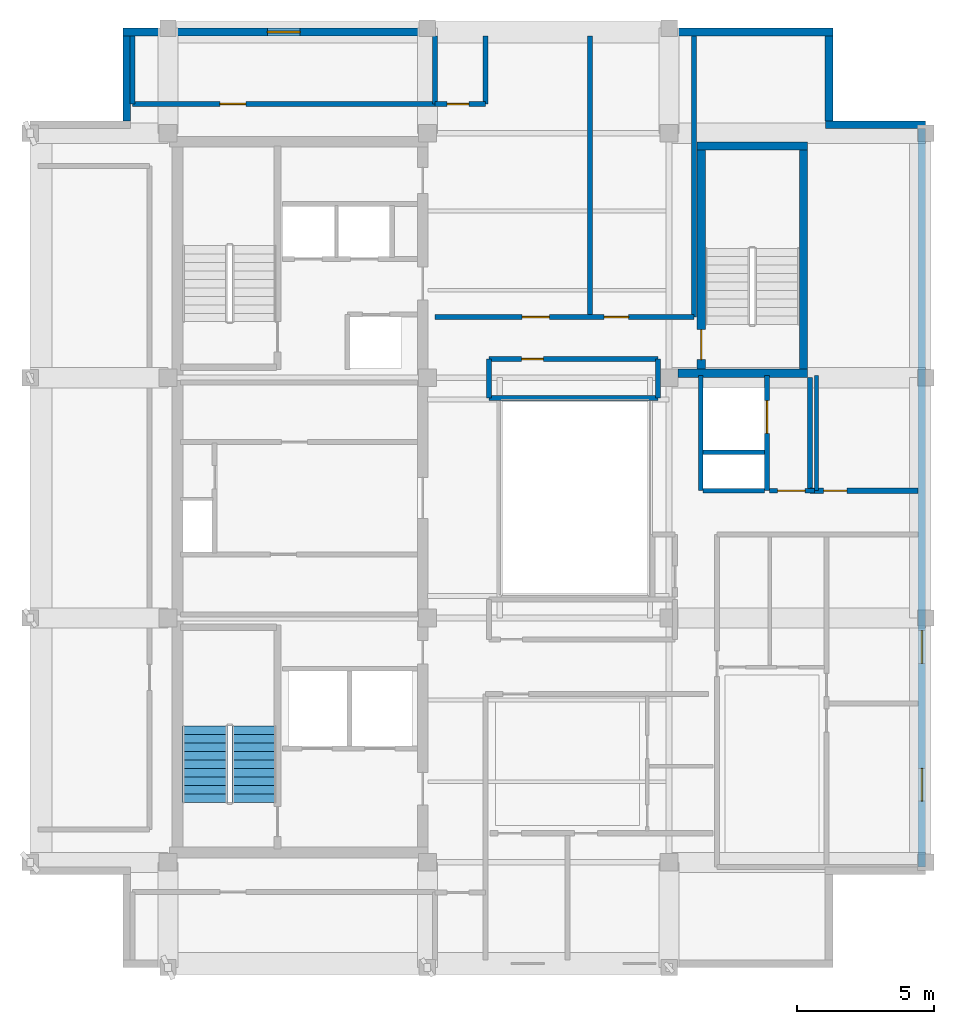
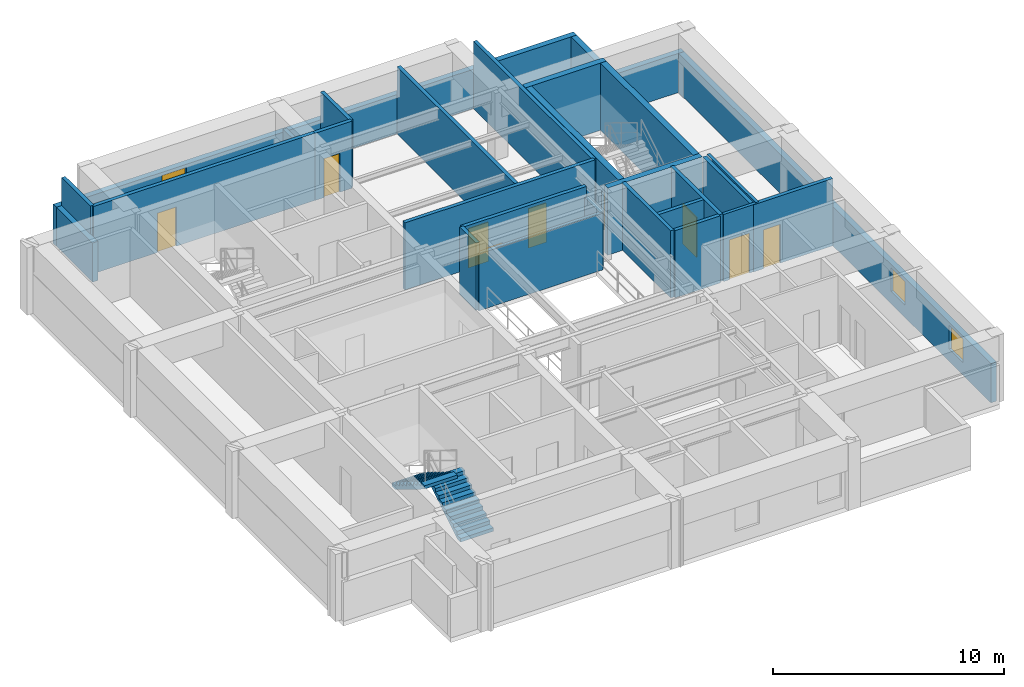
# One storey, part 4 of 6: 29 walls, 9 doors, 3 windows, 2 stair flights, 12 openings, 1 element without a shape of its own.
"""IFC4 building model written with IfcOpenShell, lengths in metres."""

from ifc_helpers import new_model, si_unit, direction, frame, frame_2d, origin, place, context, subcontext, project, spatial, polyline, rectangle, outline, extrude, material, layer, layer_set, type_object, element, fill, aggregate, save


model = new_model("IFC4")

# Units and contexts
model_context = context("Model", 3, precision=1e-05, world=origin(), true_north=direction((0.0, 1.0)))
body_context = subcontext(model_context, "Body", "Model", "MODEL_VIEW")
ifc_project = project(units=[si_unit("LENGTHUNIT", "METRE"), si_unit("AREAUNIT", "SQUARE_METRE"), si_unit("VOLUMEUNIT", "CUBIC_METRE"), si_unit("PLANEANGLEUNIT", "RADIAN"), si_unit("MASSUNIT", "GRAM", prefix="KILO")], contexts=[model_context])

# Site, building, storey
site_placement = place(None, origin())
site = spatial("IfcSite", under=ifc_project, at=site_placement, CompositionType="ELEMENT")
building_placement = place(site_placement, origin())
building = spatial("IfcBuilding", under=site, at=building_placement, Name="Kundavana Baori Tower", CompositionType="ELEMENT")
storey_placement = place(building_placement, frame((0.0, 0.0, 339.10009765625)))
storey = spatial("IfcBuildingStorey", under=building, at=storey_placement, Name="L84", CompositionType="ELEMENT", Elevation=339.10009765625)

# Wall, openings, windows
ifc_material_1 = material(Name="Red-Buff Dholpur Sandstone Cladding on Concrete C40/50", Category="masonry")
ifc_layer_1 = layer(ifc_material_1, 0.280029296875, Name="WL-EXT-SAND-280")
ifc_layer_set_1 = layer_set([ifc_layer_1], Name="Red-Buff Dholpur Sandstone Cladding on Concrete C40/50")
wall_type_1 = type_object("IfcWallType", Name="WL-EXT-SAND-280", PredefinedType="STANDARD", material=ifc_layer_set_1)
wall_1_placement = place(storey_placement, frame((43.06005859375, 15.080078125, 0.0), z_axis=(0.0, 0.0, 1.0), x_axis=(0.0, 1.0, 0.0)))
wall_1 = element("IfcWall", 1, at=wall_1_placement, inside=storey, type_object=wall_type_1, Name="L84 Exterior Insulated Facade Wall 04", PredefinedType="STANDARD", context=body_context, shape_type="SweptSolid", body=[
    extrude(rectangle(XDim=27.0400390625, YDim=0.280029296875, at=frame_2d((13.52001953125, 0.0))), origin(), (0.0, 0.0, 1.0), 2.06982421875),
])
opening_1_placement = place(wall_1_placement, frame((2.4150390625, 0.0, 0.64990234375)))
opening_1 = element("IfcOpeningElement", 2, at=opening_1_placement, cuts=wall_1, Name="Opening W-12", PredefinedType="OPENING", context=body_context, shape_type="SweptSolid", body=[
    extrude(rectangle(XDim=1.199951171875, YDim=1.25, at=frame_2d((0.60009765625, 0.625))), frame((0.0, 0.14990234375, 0.0), z_axis=(0.0, -1.0, 0.0), x_axis=(1.0, 0.0, 0.0)), (0.0, 0.0, 1.0), 0.300048828125),
])
opening_2_placement = place(wall_1_placement, frame((7.455078125, 0.0, 0.64990234375)))
opening_2 = element("IfcOpeningElement", 3, at=opening_2_placement, cuts=wall_1, Name="Opening W-12", PredefinedType="OPENING", context=body_context, shape_type="SweptSolid", body=[
    extrude(rectangle(XDim=1.199951171875, YDim=1.25, at=frame_2d((0.60009765625, 0.625))), frame((0.0, 0.14990234375, 0.0), z_axis=(0.0, -1.0, 0.0), x_axis=(1.0, 0.0, 0.0)), (0.0, 0.0, 1.0), 0.300048828125),
])
ifc_material_2 = material(Name="Double-Glazed Solar-Control Low-E Insulated Glass", Category="glass")
window_type = type_object("IfcWindowType", Name="WIN-TRN-1200x1250", PartitioningType="SINGLE_PANEL", PredefinedType="WINDOW", material=ifc_material_2)
window_1_placement = place(opening_1_placement, origin())
window_1 = element("IfcWindow", 4, at=window_1_placement, inside=storey, type_object=window_type, Name="L84 Dwelling Outlook Window DW-4", OverallHeight=1.25, OverallWidth=1.199951171875, PartitioningType="SINGLE_PANEL", PredefinedType="WINDOW", context=body_context, shape_type="SweptSolid", body=[
    extrude(rectangle(XDim=1.199951171875, YDim=1.25, at=frame_2d((0.60009765625, 0.625))), frame((0.0, 0.030029296875, 0.0), z_axis=(0.0, -1.0, 0.0), x_axis=(1.0, 0.0, 0.0)), (0.0, 0.0, 1.0), 0.06005859375),
])
fill(opening_1, window_1)
window_2_placement = place(opening_2_placement, origin())
window_2 = element("IfcWindow", 5, at=window_2_placement, inside=storey, type_object=window_type, Name="L84 Dwelling Outlook Window DW-5", OverallHeight=1.25, OverallWidth=1.199951171875, PartitioningType="SINGLE_PANEL", PredefinedType="WINDOW", context=body_context, shape_type="SweptSolid", body=[
    extrude(rectangle(XDim=1.199951171875, YDim=1.25, at=frame_2d((0.60009765625, 0.625))), frame((0.0, 0.030029296875, 0.0), z_axis=(0.0, -1.0, 0.0), x_axis=(1.0, 0.0, 0.0)), (0.0, 0.0, 1.0), 0.06005859375),
])
fill(opening_2, window_2)

# Walls
wall_2_placement = place(storey_placement, frame((43.199951171875, 42.260009765625, 0.0), z_axis=(0.0, 0.0, 1.0), x_axis=(-1.0, 0.0, 0.0)))
element("IfcWall", 6, at=wall_2_placement, inside=storey, type_object=wall_type_1, Name="L84 Exterior Insulated Facade Wall 05", PredefinedType="STANDARD", context=body_context, shape_type="SweptSolid", body=[
    extrude(rectangle(XDim=3.679931640625, YDim=0.280029296875, at=frame_2d((1.83984375, 0.0))), origin(), (0.0, 0.0, 1.0), 2.06982421875),
])
wall_3_placement = place(storey_placement, frame((39.659912109375, 42.39990234375, 0.0), z_axis=(0.0, 0.0, 1.0), x_axis=(0.0, 1.0, 0.0)))
element("IfcWall", 7, at=wall_3_placement, inside=storey, type_object=wall_type_1, Name="L84 Exterior Insulated Facade Wall 06", PredefinedType="STANDARD", context=body_context, shape_type="SweptSolid", body=[
    extrude(rectangle(XDim=3.1201171875, YDim=0.280029296875, at=frame_2d((1.56005859375, 0.0))), origin(), (0.0, 0.0, 1.0), 2.06982421875),
])

# Wall, opening, window
wall_4_placement = place(storey_placement, frame((39.800048828125, 45.659912109375, 0.0), z_axis=(0.0, 0.0, 1.0), x_axis=(-1.0, 0.0, 0.0)))
wall_4 = element("IfcWall", 8, at=wall_4_placement, inside=storey, type_object=wall_type_1, Name="L84 Exterior Insulated Facade Wall 07", PredefinedType="STANDARD", context=body_context, shape_type="SweptSolid", body=[
    extrude(rectangle(XDim=26.0, YDim=0.280029296875, at=frame_2d((13.0, 0.0))), origin(), (0.0, 0.0, 1.0), 2.06982421875),
])
opening_3_placement = place(wall_4_placement, frame((19.514892578125, 0.0, 0.64990234375)))
opening_3 = element("IfcOpeningElement", 9, at=opening_3_placement, cuts=wall_4, Name="Opening W-12", PredefinedType="OPENING", context=body_context, shape_type="SweptSolid", body=[
    extrude(rectangle(XDim=1.199951171875, YDim=1.25, at=frame_2d((0.60009765625, 0.625))), frame((0.0, 0.14990234375, 0.0), z_axis=(0.0, -1.0, 0.0), x_axis=(1.0, 0.0, 0.0)), (0.0, 0.0, 1.0), 0.300048828125),
])
window_3_placement = place(opening_3_placement, origin())
window_3 = element("IfcWindow", 10, at=window_3_placement, inside=storey, type_object=window_type, Name="L84 Dwelling Outlook Window DW-1", OverallHeight=1.25, OverallWidth=1.199951171875, PartitioningType="SINGLE_PANEL", PredefinedType="WINDOW", context=body_context, shape_type="SweptSolid", body=[
    extrude(rectangle(XDim=1.199951171875, YDim=1.25, at=frame_2d((0.60009765625, 0.625))), frame((0.0, 0.030029296875, 0.0), z_axis=(0.0, -1.0, 0.0), x_axis=(1.0, 0.0, 0.0)), (0.0, 0.0, 1.0), 0.06005859375),
])
fill(opening_3, window_3)

# Walls
wall_5_placement = place(storey_placement, frame((13.93994140625, 45.52001953125, 0.0), z_axis=(0.0, 0.0, 1.0), x_axis=(0.0, -1.0, 0.0)))
element("IfcWall", 11, at=wall_5_placement, inside=storey, type_object=wall_type_1, Name="L84 Exterior Insulated Facade Wall 08", PredefinedType="STANDARD", context=body_context, shape_type="SweptSolid", body=[
    extrude(rectangle(XDim=3.1201171875, YDim=0.280029296875, at=frame_2d((1.56005859375, 0.0))), origin(), (0.0, 0.0, 1.0), 2.06982421875),
])
ifc_material_3 = material(Name="Fire-Rated Gypsum Drywall on Galvanised Steel Studs", Category="steel")
ifc_layer_2 = layer(ifc_material_3, 0.14990234375, Name="WL-PART-150")
ifc_layer_set_2 = layer_set([ifc_layer_2], Name="Fire-Rated Gypsum Drywall on Galvanised Steel Studs")
wall_type_2 = type_object("IfcWallType", Name="WL-PART-150", PredefinedType="PARTITIONING", material=ifc_layer_set_2)
wall_6_placement = place(storey_placement, frame((39.199951171875, 28.860107421875, 0.0), z_axis=(0.0, 0.0, 1.0), x_axis=(0.0, 1.0, 0.0)))
element("IfcWall", 12, at=wall_6_placement, inside=storey, type_object=wall_type_2, Name="WL-L84-SVLOB-E", PredefinedType="PARTITIONING", context=body_context, shape_type="SweptSolid", body=[
    extrude(rectangle(XDim=4.219970703125, YDim=0.14990234375, at=frame_2d((2.10986328125, 0.0))), origin(), (0.0, 0.0, 1.0), 3.5498046875),
])

# Wall, opening, door
wall_7_placement = place(storey_placement, frame((37.47998046875, 28.860107421875, 0.0), z_axis=(0.0, 0.0, 1.0), x_axis=(1.0, 0.0, 0.0)))
wall_7 = element("IfcWall", 13, at=wall_7_placement, inside=storey, type_object=wall_type_2, Name="WL-L84-SVLOB-S", PredefinedType="PARTITIONING", context=body_context, shape_type="SweptSolid", body=[
    extrude(rectangle(XDim=1.64013671875, YDim=0.14990234375, at=frame_2d((0.820068359375, 0.0))), origin(), (0.0, 0.0, 1.0), 3.5498046875),
])
opening_4_placement = place(wall_7_placement, frame((0.300048828125, 0.0, 0.0)))
opening_4 = element("IfcOpeningElement", 14, at=opening_4_placement, cuts=wall_7, Name="Opening FD-100", PredefinedType="OPENING", context=body_context, shape_type="SweptSolid", body=[
    extrude(rectangle(XDim=1.0, YDim=2.10009765625, at=frame_2d((0.5, 1.050048828125))), frame((0.0, 0.0849609375, 0.0), z_axis=(0.0, -1.0, 0.0), x_axis=(1.0, 0.0, 0.0)), (0.0, 0.0, 1.0), 0.169921875),
])
ifc_material_4 = material(Name="Engineered Teak Fire-Rated Timber Door Leaf", Category="wood")
door_type_1 = type_object("IfcDoorType", Name="DR-FD60-1000", OperationType="NOTDEFINED", PredefinedType="DOOR", material=ifc_material_4)
door_1_placement = place(opening_4_placement, origin())
door_1 = element("IfcDoor", 15, at=door_1_placement, inside=storey, type_object=door_type_1, Name="DR-L84-SVLOB-OUT", OperationType="SINGLE_SWING_LEFT", OverallHeight=2.10009765625, OverallWidth=1.0, PredefinedType="DOOR", context=body_context, shape_type="SweptSolid", body=[
    extrude(rectangle(XDim=1.0, YDim=2.10009765625, at=frame_2d((0.5, 1.050048828125))), frame((0.0, 0.02490234375, 0.0), z_axis=(0.0, -1.0, 0.0), x_axis=(1.0, 0.0, 0.0)), (0.0, 0.0, 1.0), 0.050048828125),
])
fill(opening_4, door_1)

# Wall, openings, doors
ifc_material_5 = material(Name="Autoclaved Aerated Concrete Blockwork Masonry", Category="masonry")
ifc_layer_3 = layer(ifc_material_5, 0.18505859375, Name="WL-PART-180")
ifc_layer_set_3 = layer_set([ifc_layer_3], Name="Autoclaved Aerated Concrete Blockwork Masonry")
wall_type_3 = type_object("IfcWallType", Name="WL-PART-180", PredefinedType="SOLIDWALL", material=ifc_layer_set_3)
wall_8_placement = place(storey_placement, frame((25.219970703125, 35.219970703125, 0.0), z_axis=(0.0, 0.0, 1.0), x_axis=(1.0, 0.0, 0.0)))
wall_8 = element("IfcWall", 16, at=wall_8_placement, inside=storey, type_object=wall_type_3, Name="WL-L84-RN", PredefinedType="SOLIDWALL", context=body_context, shape_type="SweptSolid", body=[
    extrude(rectangle(XDim=9.5, YDim=0.18505859375, at=frame_2d((4.75, 0.0))), origin(), (0.0, 0.0, 1.0), 3.5498046875),
])
opening_5_placement = place(wall_8_placement, frame((3.199951171875, 0.0, 0.0)))
opening_5 = element("IfcOpeningElement", 17, at=opening_5_placement, cuts=wall_8, Name="Opening ID-100", PredefinedType="OPENING", context=body_context, shape_type="SweptSolid", body=[
    extrude(rectangle(XDim=1.0, YDim=2.080078125, at=frame_2d((0.5, 1.0400390625))), frame((0.0, 0.1025390625, 0.0), z_axis=(0.0, -1.0, 0.0), x_axis=(1.0, 0.0, 0.0)), (0.0, 0.0, 1.0), 0.205078125),
])
opening_6_placement = place(wall_8_placement, frame((6.199951171875, 0.0, 0.0)))
opening_6 = element("IfcOpeningElement", 18, at=opening_6_placement, cuts=wall_8, Name="Opening ID-090", PredefinedType="OPENING", context=body_context, shape_type="SweptSolid", body=[
    extrude(rectangle(XDim=0.89990234375, YDim=2.080078125, at=frame_2d((0.449951171875, 1.0400390625))), frame((0.0, 0.1025390625, 0.0), z_axis=(0.0, -1.0, 0.0), x_axis=(1.0, 0.0, 0.0)), (0.0, 0.0, 1.0), 0.205078125),
])
ifc_material_6 = material(Name="Engineered Teak Solid-Core Timber Veneer", Category="wood")
door_type_2 = type_object("IfcDoorType", Name="DR-INT-1000", OperationType="NOTDEFINED", PredefinedType="DOOR", material=ifc_material_6)
door_2_placement = place(opening_5_placement, origin())
door_2 = element("IfcDoor", 19, at=door_2_placement, inside=storey, type_object=door_type_2, Name="DR-L84-RLN1", OperationType="SINGLE_SWING_LEFT", OverallHeight=2.080078125, OverallWidth=1.0, PredefinedType="DOOR", context=body_context, shape_type="SweptSolid", body=[
    extrude(rectangle(XDim=1.0, YDim=2.080078125, at=frame_2d((0.5, 1.0400390625))), frame((0.0, 0.02490234375, 0.0), z_axis=(0.0, -1.0, 0.0), x_axis=(1.0, 0.0, 0.0)), (0.0, 0.0, 1.0), 0.050048828125),
])
fill(opening_5, door_2)
ifc_material_7 = material(Name="Engineered Teak Solid-Core Timber Veneer", Category="wood")
door_type_3 = type_object("IfcDoorType", Name="DR-INT-900", OperationType="NOTDEFINED", PredefinedType="DOOR", material=ifc_material_7)
door_3_placement = place(opening_6_placement, origin())
door_3 = element("IfcDoor", 20, at=door_3_placement, inside=storey, type_object=door_type_3, Name="DR-L84-RLN2", OperationType="SINGLE_SWING_RIGHT", OverallHeight=2.080078125, OverallWidth=0.89990234375, PredefinedType="DOOR", context=body_context, shape_type="SweptSolid", body=[
    extrude(rectangle(XDim=0.89990234375, YDim=2.080078125, at=frame_2d((0.449951171875, 1.0400390625))), frame((0.0, 0.02490234375, 0.0), z_axis=(0.0, -1.0, 0.0), x_axis=(1.0, 0.0, 0.0)), (0.0, 0.0, 1.0), 0.050048828125),
])
fill(opening_6, door_3)

# Wall, opening, door
wall_9_placement = place(storey_placement, frame((14.14990234375, 43.030029296875, 0.0), z_axis=(0.0, 0.0, 1.0), x_axis=(1.0, 0.0, 0.0)))
wall_9 = element("IfcWall", 21, at=wall_9_placement, inside=storey, type_object=wall_type_3, Name="WL-L84-RNC", PredefinedType="SOLIDWALL", context=body_context, shape_type="SweptSolid", body=[
    extrude(rectangle(XDim=11.070068359375, YDim=0.18505859375, at=frame_2d((5.53515625, 0.0))), origin(), (0.0, 0.0, 1.0), 3.5498046875),
])
opening_7_placement = place(wall_9_placement, frame((3.199951171875, 0.0, 0.0)))
opening_7 = element("IfcOpeningElement", 22, at=opening_7_placement, cuts=wall_9, Name="Opening ID-095", PredefinedType="OPENING", context=body_context, shape_type="SweptSolid", body=[
    extrude(rectangle(XDim=0.949951171875, YDim=2.080078125, at=frame_2d((0.47509765625, 1.0400390625))), frame((0.0, 0.1025390625, 0.0), z_axis=(0.0, -1.0, 0.0), x_axis=(1.0, 0.0, 0.0)), (0.0, 0.0, 1.0), 0.205078125),
])
ifc_material_8 = material(Name="Engineered Teak Solid-Core Timber Veneer", Category="wood")
door_type_4 = type_object("IfcDoorType", Name="DR-INT-950", OperationType="NOTDEFINED", PredefinedType="DOOR", material=ifc_material_8)
door_4_placement = place(opening_7_placement, origin())
door_4 = element("IfcDoor", 23, at=door_4_placement, inside=storey, type_object=door_type_4, Name="DR-L84-RMNW", OperationType="SINGLE_SWING_RIGHT", OverallHeight=2.080078125, OverallWidth=0.949951171875, PredefinedType="DOOR", context=body_context, shape_type="SweptSolid", body=[
    extrude(rectangle(XDim=0.949951171875, YDim=2.080078125, at=frame_2d((0.47509765625, 1.0400390625))), frame((0.0, 0.02490234375, 0.0), z_axis=(0.0, -1.0, 0.0), x_axis=(1.0, 0.0, 0.0)), (0.0, 0.0, 1.0), 0.050048828125),
])
fill(opening_7, door_4)

# Walls
wall_10_placement = place(storey_placement, frame((14.14990234375, 43.030029296875, 0.0), z_axis=(0.0, 0.0, 1.0), x_axis=(0.0, 1.0, 0.0)))
element("IfcWall", 24, at=wall_10_placement, inside=storey, type_object=wall_type_3, Name="WL-L84-RNCW", PredefinedType="SOLIDWALL", context=body_context, shape_type="SweptSolid", body=[
    extrude(rectangle(XDim=2.489990234375, YDim=0.18505859375, at=frame_2d((1.2451171875, 0.0))), origin(), (0.0, 0.0, 1.0), 3.5498046875),
])
wall_11_placement = place(storey_placement, frame((25.219970703125, 43.030029296875, 0.0), z_axis=(0.0, 0.0, 1.0), x_axis=(0.0, 1.0, 0.0)))
element("IfcWall", 25, at=wall_11_placement, inside=storey, type_object=wall_type_3, Name="WL-L84-RNCE", PredefinedType="SOLIDWALL", context=body_context, shape_type="SweptSolid", body=[
    extrude(rectangle(XDim=2.489990234375, YDim=0.18505859375, at=frame_2d((1.2451171875, 0.0))), origin(), (0.0, 0.0, 1.0), 2.22998046875),
])
wall_12_placement = place(storey_placement, frame((34.719970703125, 35.219970703125, 0.0), z_axis=(0.0, 0.0, 1.0), x_axis=(0.0, 1.0, 0.0)))
element("IfcWall", 26, at=wall_12_placement, inside=storey, type_object=wall_type_3, Name="WL-L84-RNEND", PredefinedType="SOLIDWALL", context=body_context, shape_type="SweptSolid", body=[
    extrude(rectangle(XDim=10.300048828125, YDim=0.18505859375, at=frame_2d((5.14990234375, 0.0))), origin(), (0.0, 0.0, 1.0), 3.5498046875),
])
wall_13_placement = place(storey_placement, frame((30.89990234375, 35.300048828125, 0.0), z_axis=(0.0, 0.0, 1.0), x_axis=(0.0, 1.0, 0.0)))
element("IfcWall", 27, at=wall_13_placement, inside=storey, type_object=wall_type_3, Name="WL-L84-RND1", PredefinedType="SOLIDWALL", context=body_context, shape_type="SweptSolid", body=[
    extrude(rectangle(XDim=10.219970703125, YDim=0.18505859375, at=frame_2d((5.10986328125, 0.0))), origin(), (0.0, 0.0, 1.0), 3.5498046875),
])

# Wall, opening, door
wall_14_placement = place(storey_placement, frame((38.9599609375, 28.860107421875, 0.0), z_axis=(0.0, 0.0, 1.0), x_axis=(1.0, 0.0, 0.0)))
wall_14 = element("IfcWall", 28, at=wall_14_placement, inside=storey, type_object=wall_type_3, Name="WL-L84-CNES", PredefinedType="SOLIDWALL", context=body_context, shape_type="SweptSolid", body=[
    extrude(rectangle(XDim=3.9599609375, YDim=0.18505859375, at=frame_2d((1.97998046875, 0.0))), origin(), (0.0, 0.0, 1.0), 3.5498046875),
])
opening_8_placement = place(wall_14_placement, frame((0.5, 0.0, 0.0)))
opening_8 = element("IfcOpeningElement", 29, at=opening_8_placement, cuts=wall_14, Name="Opening WD-085", PredefinedType="OPENING", context=body_context, shape_type="SweptSolid", body=[
    extrude(rectangle(XDim=0.85009765625, YDim=2.050048828125, at=frame_2d((0.425048828125, 1.02490234375))), frame((0.0, 0.1025390625, 0.0), z_axis=(0.0, -1.0, 0.0), x_axis=(1.0, 0.0, 0.0)), (0.0, 0.0, 1.0), 0.205078125),
])
ifc_material_9 = material(Name="Engineered Teak Solid-Core Timber Veneer", Category="wood")
door_type_5 = type_object("IfcDoorType", Name="DR-WET-850", OperationType="NOTDEFINED", PredefinedType="DOOR", material=ifc_material_9)
door_5_placement = place(opening_8_placement, origin())
door_5 = element("IfcDoor", 30, at=door_5_placement, inside=storey, type_object=door_type_5, Name="DR-L84-RCNE", OperationType="SINGLE_SWING_LEFT", OverallHeight=2.050048828125, OverallWidth=0.85009765625, PredefinedType="DOOR", context=body_context, shape_type="SweptSolid", body=[
    extrude(rectangle(XDim=0.85009765625, YDim=2.050048828125, at=frame_2d((0.425048828125, 1.02490234375))), frame((0.0, 0.02490234375, 0.0), z_axis=(0.0, -1.0, 0.0), x_axis=(1.0, 0.0, 0.0)), (0.0, 0.0, 1.0), 0.050048828125),
])
fill(opening_8, door_5)

# Wall
wall_15_placement = place(storey_placement, frame((38.9599609375, 28.93994140625, 0.0), z_axis=(0.0, 0.0, 1.0), x_axis=(0.0, 1.0, 0.0)))
element("IfcWall", 31, at=wall_15_placement, inside=storey, type_object=wall_type_3, Name="WL-L84-CNEW", PredefinedType="SOLIDWALL", context=body_context, shape_type="SweptSolid", body=[
    extrude(rectangle(XDim=4.06005859375, YDim=0.18505859375, at=frame_2d((2.030029296875, 0.0))), origin(), (0.0, 0.0, 1.0), 3.5498046875),
])

# Wall, opening, door
wall_16_placement = place(storey_placement, frame((25.219970703125, 43.02001953125, 0.0), z_axis=(0.0, 0.0, 1.0), x_axis=(1.0, 0.0, 0.0)))
wall_16 = element("IfcWall", 32, at=wall_16_placement, inside=storey, type_object=wall_type_3, Name="WL-L84-CNCS", PredefinedType="SOLIDWALL", context=body_context, shape_type="SweptSolid", body=[
    extrude(rectangle(XDim=1.860107421875, YDim=0.18505859375, at=frame_2d((0.93017578125, 0.0))), origin(), (0.0, 0.0, 1.0), 3.5498046875),
])
opening_9_placement = place(wall_16_placement, frame((0.449951171875, 0.0, 0.0)))
opening_9 = element("IfcOpeningElement", 33, at=opening_9_placement, cuts=wall_16, Name="Opening WD-080", PredefinedType="OPENING", context=body_context, shape_type="SweptSolid", body=[
    extrude(rectangle(XDim=0.800048828125, YDim=2.050048828125, at=frame_2d((0.39990234375, 1.02490234375))), frame((0.0, 0.1025390625, 0.0), z_axis=(0.0, -1.0, 0.0), x_axis=(1.0, 0.0, 0.0)), (0.0, 0.0, 1.0), 0.205078125),
])
ifc_material_10 = material(Name="Engineered Teak Solid-Core Timber Veneer", Category="wood")
door_type_6 = type_object("IfcDoorType", Name="DR-WET-800", OperationType="NOTDEFINED", PredefinedType="DOOR", material=ifc_material_10)
door_6_placement = place(opening_9_placement, frame((0.800048828125, 0.0, 0.0), z_axis=(0.0, 0.0, 1.0), x_axis=(-1.0, 0.0, 0.0)))
door_6 = element("IfcDoor", 34, at=door_6_placement, inside=storey, type_object=door_type_6, Name="DR-L84-CSCN", OperationType="SINGLE_SWING_LEFT", OverallHeight=2.050048828125, OverallWidth=0.800048828125, PredefinedType="DOOR", context=body_context, shape_type="SweptSolid", body=[
    extrude(rectangle(XDim=0.800048828125, YDim=2.050048828125, at=frame_2d((0.39990234375, 1.02490234375))), frame((0.0, 0.02490234375, 0.0), z_axis=(0.0, -1.0, 0.0), x_axis=(1.0, 0.0, 0.0)), (0.0, 0.0, 1.0), 0.050048828125),
])
fill(opening_9, door_6)

# Wall
wall_17_placement = place(storey_placement, frame((27.080078125, 43.02001953125, 0.0), z_axis=(0.0, 0.0, 1.0), x_axis=(0.0, 1.0, 0.0)))
element("IfcWall", 35, at=wall_17_placement, inside=storey, type_object=wall_type_3, Name="WL-L84-CNCE", PredefinedType="SOLIDWALL", context=body_context, shape_type="SweptSolid", body=[
    extrude(rectangle(XDim=2.5, YDim=0.18505859375, at=frame_2d((1.25, 0.0))), origin(), (0.0, 0.0, 1.0), 3.5498046875),
])

# Wall, opening, door
wall_18_placement = place(storey_placement, frame((27.199951171875, 33.679931640625, 0.0), z_axis=(0.0, 0.0, 1.0), x_axis=(1.0, 0.0, 0.0)))
wall_18 = element("IfcWall", 36, at=wall_18_placement, inside=storey, type_object=wall_type_3, Name="WL-L84-CNAN", PredefinedType="SOLIDWALL", context=body_context, shape_type="SweptSolid", body=[
    extrude(rectangle(XDim=6.199951171875, YDim=0.18505859375, at=frame_2d((3.10009765625, 0.0))), origin(), (0.0, 0.0, 1.0), 3.5498046875),
])
opening_10_placement = place(wall_18_placement, frame((1.199951171875, 0.0, 0.0)))
opening_10 = element("IfcOpeningElement", 37, at=opening_10_placement, cuts=wall_18, Name="Opening WD-080", PredefinedType="OPENING", context=body_context, shape_type="SweptSolid", body=[
    extrude(rectangle(XDim=0.800048828125, YDim=2.050048828125, at=frame_2d((0.39990234375, 1.02490234375))), frame((0.0, 0.1025390625, 0.0), z_axis=(0.0, -1.0, 0.0), x_axis=(1.0, 0.0, 0.0)), (0.0, 0.0, 1.0), 0.205078125),
])
door_7_placement = place(opening_10_placement, frame((0.800048828125, 0.0, 0.0), z_axis=(0.0, 0.0, 1.0), x_axis=(-1.0, 0.0, 0.0)))
door_7 = element("IfcDoor", 38, at=door_7_placement, inside=storey, type_object=door_type_6, Name="DR-L84-CSNA", OperationType="SINGLE_SWING_LEFT", OverallHeight=2.050048828125, OverallWidth=0.800048828125, PredefinedType="DOOR", context=body_context, shape_type="SweptSolid", body=[
    extrude(rectangle(XDim=0.800048828125, YDim=2.050048828125, at=frame_2d((0.39990234375, 1.02490234375))), frame((0.0, 0.02490234375, 0.0), z_axis=(0.0, -1.0, 0.0), x_axis=(1.0, 0.0, 0.0)), (0.0, 0.0, 1.0), 0.050048828125),
])
fill(opening_10, door_7)

# Walls
wall_19_placement = place(storey_placement, frame((27.199951171875, 32.260009765625, 0.0), z_axis=(0.0, 0.0, 1.0), x_axis=(1.0, 0.0, 0.0)))
element("IfcWall", 39, at=wall_19_placement, inside=storey, type_object=wall_type_3, Name="WL-L84-CNAS", PredefinedType="SOLIDWALL", context=body_context, shape_type="SweptSolid", body=[
    extrude(rectangle(XDim=6.199951171875, YDim=0.18505859375, at=frame_2d((3.10009765625, 0.0))), origin(), (0.0, 0.0, 1.0), 3.0),
])
wall_20_placement = place(storey_placement, frame((27.199951171875, 32.260009765625, 0.0), z_axis=(0.0, 0.0, 1.0), x_axis=(0.0, 1.0, 0.0)))
element("IfcWall", 40, at=wall_20_placement, inside=storey, type_object=wall_type_3, Name="WL-L84-CNAW", PredefinedType="SOLIDWALL", context=body_context, shape_type="SweptSolid", body=[
    extrude(rectangle(XDim=1.419921875, YDim=0.18505859375, at=frame_2d((0.7099609375, 0.0))), origin(), (0.0, 0.0, 1.0), 3.5498046875),
])
wall_21_placement = place(storey_placement, frame((33.39990234375, 32.260009765625, 0.0), z_axis=(0.0, 0.0, 1.0), x_axis=(0.0, 1.0, 0.0)))
element("IfcWall", 41, at=wall_21_placement, inside=storey, type_object=wall_type_3, Name="WL-L84-CNAE", PredefinedType="SOLIDWALL", context=body_context, shape_type="SweptSolid", body=[
    extrude(rectangle(XDim=1.419921875, YDim=0.18505859375, at=frame_2d((0.7099609375, 0.0))), origin(), (0.0, 0.0, 1.0), 3.0),
])
ifc_material_11 = material(Name="Autoclaved Aerated Concrete Blockwork Masonry", Category="masonry")
ifc_layer_4 = layer(ifc_material_11, 0.179931640625, Name="WL-SHAFT-180")
ifc_layer_set_4 = layer_set([ifc_layer_4], Name="Autoclaved Aerated Concrete Blockwork Masonry")
wall_type_4 = type_object("IfcWallType", Name="WL-SHAFT-180", PredefinedType="SOLIDWALL", material=ifc_layer_set_4)
wall_22_placement = place(storey_placement, frame((34.9599609375, 28.860107421875, 0.0), z_axis=(0.0, 0.0, 1.0), x_axis=(0.0, 1.0, 0.0)))
element("IfcWall", 42, at=wall_22_placement, inside=storey, type_object=wall_type_4, Name="WL-L84-SVL-W", PredefinedType="SOLIDWALL", context=body_context, shape_type="SweptSolid", body=[
    extrude(rectangle(XDim=4.219970703125, YDim=0.179931640625, at=frame_2d((2.10986328125, 0.0))), origin(), (0.0, 0.0, 1.0), 3.5498046875),
])

# Wall, opening, door
wall_23_placement = place(storey_placement, frame((37.389892578125, 28.860107421875, 0.0), z_axis=(0.0, 0.0, 1.0), x_axis=(0.0, 1.0, 0.0)))
wall_23 = element("IfcWall", 43, at=wall_23_placement, inside=storey, type_object=wall_type_4, Name="WL-L84-SVL-E", PredefinedType="SOLIDWALL", context=body_context, shape_type="SweptSolid", body=[
    extrude(rectangle(XDim=4.219970703125, YDim=0.179931640625, at=frame_2d((2.10986328125, 0.0))), origin(), (0.0, 0.0, 1.0), 3.5498046875),
])
opening_11_placement = place(wall_23_placement, frame((2.10009765625, 0.0, 0.0)))
opening_11 = element("IfcOpeningElement", 44, at=opening_11_placement, cuts=wall_23, Name="Opening LD-120", PredefinedType="OPENING", context=body_context, shape_type="SweptSolid", body=[
    extrude(rectangle(XDim=1.199951171875, YDim=2.1201171875, at=frame_2d((0.60009765625, 1.06005859375))), frame((0.0, 0.10009765625, 0.0), z_axis=(0.0, -1.0, 0.0), x_axis=(1.0, 0.0, 0.0)), (0.0, 0.0, 1.0), 0.199951171875),
])
ifc_material_12 = material(Name="Galvanised Steel Fire-Rated Door Leaf", Category="steel")
door_type_7 = type_object("IfcDoorType", Name="DR-SLIDE-LD1200", OperationType="NOTDEFINED", PredefinedType="DOOR", material=ifc_material_12)
door_8_placement = place(opening_11_placement, frame((1.199951171875, 0.0, 0.0), z_axis=(0.0, 0.0, 1.0), x_axis=(-1.0, 0.0, 0.0)))
door_8 = element("IfcDoor", 45, at=door_8_placement, inside=storey, type_object=door_type_7, Name="DR-L84-LD-SVL1", OperationType="DOUBLE_DOOR_SLIDING", OverallHeight=2.1201171875, OverallWidth=1.199951171875, PredefinedType="DOOR", context=body_context, shape_type="SweptSolid", body=[
    extrude(rectangle(XDim=1.199951171875, YDim=2.1201171875, at=frame_2d((0.60009765625, 1.06005859375))), frame((0.0, 0.02490234375, 0.0), z_axis=(0.0, -1.0, 0.0), x_axis=(1.0, 0.0, 0.0)), (0.0, 0.0, 1.0), 0.050048828125),
])
fill(opening_11, door_8)

# Walls
for number, where, z_axis, x_axis, name in (
    (46, (35.050048828125, 28.860107421875, 0.0), (0.0, 0.0, 1.0), (1.0, 0.0, 0.0), "WL-L84-SVL-S"),
    (47, (35.050048828125, 30.27001953125, 0.0), (0.0, 0.0, 1.0), (1.0, 0.0, 0.0), "WL-L84-SVL-M"),
):
    element("IfcWall", number, at=place(storey_placement, frame(where, z_axis=z_axis, x_axis=x_axis)), inside=storey, type_object=wall_type_4, Name=name, PredefinedType="SOLIDWALL", context=body_context, shape_type="SweptSolid", body=[
        extrude(rectangle(XDim=2.25, YDim=0.179931640625, at=frame_2d((1.125, 0.0))), origin(), (0.0, 0.0, 1.0), 3.5498046875),
    ])
ifc_material_13 = material(Name="Concrete C50/60", Category="concrete")
ifc_layer_5 = layer(ifc_material_13, 0.300048828125, Name="WL-ST3-300")
ifc_layer_set_5 = layer_set([ifc_layer_5], Name="Concrete C50/60")
wall_type_5 = type_object("IfcWallType", Name="WL-ST3-300", PredefinedType="SHEAR", material=ifc_layer_set_5)
wall_24_placement = place(storey_placement, frame((34.125, 33.159912109375, 0.0), z_axis=(0.0, 0.0, 1.0), x_axis=(1.0, 0.0, 0.0)))
element("IfcWall", 48, at=wall_24_placement, inside=storey, type_object=wall_type_5, Name="L84 Stair ST3 South Shear Wall", PredefinedType="SHEAR", context=body_context, shape_type="SweptSolid", body=[
    extrude(rectangle(XDim=4.7451171875, YDim=0.300048828125, at=frame_2d((2.37255859375, 0.0))), origin(), (0.0, 0.0, 1.0), 3.5498046875),
])
wall_25_placement = place(storey_placement, frame((34.830078125, 41.489990234375, 0.0), z_axis=(0.0, 0.0, 1.0), x_axis=(1.0, 0.0, 0.0)))
element("IfcWall", 49, at=wall_25_placement, inside=storey, type_object=wall_type_5, Name="L84 Stair ST3 North Shear Wall", PredefinedType="SHEAR", context=body_context, shape_type="SweptSolid", body=[
    extrude(rectangle(XDim=4.0400390625, YDim=0.300048828125, at=frame_2d((2.02001953125, 0.0))), origin(), (0.0, 0.0, 1.0), 3.5498046875),
])

# Wall, opening, door
wall_26_placement = place(storey_placement, frame((34.97998046875, 33.31005859375, 0.0), z_axis=(0.0, 0.0, 1.0), x_axis=(0.0, 1.0, 0.0)))
wall_26 = element("IfcWall", 50, at=wall_26_placement, inside=storey, type_object=wall_type_5, Name="L84 Stair ST3 West Shear Wall", PredefinedType="SHEAR", context=body_context, shape_type="SweptSolid", body=[
    extrude(rectangle(XDim=8.030029296875, YDim=0.300048828125, at=frame_2d((4.01513671875, 0.0))), origin(), (0.0, 0.0, 1.0), 3.5498046875),
])
opening_12_placement = place(wall_26_placement, frame((0.35009765625, 0.0, 0.0)))
opening_12 = element("IfcOpeningElement", 51, at=opening_12_placement, cuts=wall_26, Name="Opening FD-110", PredefinedType="OPENING", context=body_context, shape_type="SweptSolid", body=[
    extrude(rectangle(XDim=1.10009765625, YDim=2.10009765625, at=frame_2d((0.550048828125, 1.050048828125))), frame((0.0, 0.16015625, 0.0), z_axis=(0.0, -1.0, 0.0), x_axis=(1.0, 0.0, 0.0)), (0.0, 0.0, 1.0), 0.320068359375),
])
ifc_material_14 = material(Name="Galvanised Steel Fire-Rated Door Leaf", Category="steel")
door_type_8 = type_object("IfcDoorType", Name="DR-FD120-1100", OperationType="NOTDEFINED", PredefinedType="DOOR", material=ifc_material_14)
door_9_placement = place(opening_12_placement, origin())
door_9 = element("IfcDoor", 52, at=door_9_placement, inside=storey, type_object=door_type_8, Name="DR-L84-ST3-W", OperationType="SINGLE_SWING_LEFT", OverallHeight=2.10009765625, OverallWidth=1.10009765625, PredefinedType="DOOR", context=body_context, shape_type="SweptSolid", body=[
    extrude(rectangle(XDim=1.10009765625, YDim=2.10009765625, at=frame_2d((0.550048828125, 1.050048828125))), frame((0.0, 0.02490234375, 0.0), z_axis=(0.0, -1.0, 0.0), x_axis=(1.0, 0.0, 0.0)), (0.0, 0.0, 1.0), 0.050048828125),
])
fill(opening_12, door_9)

# Wall
wall_27_placement = place(storey_placement, frame((38.719970703125, 33.31005859375, 0.0), z_axis=(0.0, 0.0, 1.0), x_axis=(0.0, 1.0, 0.0)))
element("IfcWall", 53, at=wall_27_placement, inside=storey, type_object=wall_type_5, Name="L84 Stair ST3 East Shear Wall", PredefinedType="SHEAR", context=body_context, shape_type="SweptSolid", body=[
    extrude(rectangle(XDim=8.030029296875, YDim=0.300048828125, at=frame_2d((4.01513671875, 0.0))), origin(), (0.0, 0.0, 1.0), 3.5498046875),
])

# Stair, stair flights
ifc_material_15 = material(Name="Concrete C40/50", Category="concrete")
stair_type = type_object("IfcStairType", Name="STR-DOG-1650", PredefinedType="HALF_TURN_STAIR", material=ifc_material_15)
stair_placement = place(storey_placement, origin())
stair = element("IfcStair", 54, at=stair_placement, inside=storey, type_object=stair_type, Name="L84 Protected Exit Stair ST1", PredefinedType="HALF_TURN_STAIR")
ifc_material_16 = material(Name="Concrete C40/50", Category="concrete")
stair_flight_type = type_object("IfcStairFlightType", Name="SFL-RC-1650", PredefinedType="STRAIGHT", material=ifc_material_16)
stair_flight_1_placement = place(storey_placement, frame((18.614990234375, 17.449951171875, 0.0), z_axis=(0.0, 0.0, 1.0), x_axis=(0.0, 1.0, 0.0)))
stair_flight_1 = element("IfcStairFlight", 55, at=stair_flight_1_placement, type_object=stair_flight_type, Name="ST1 flight 1", NumberOfRisers=10, NumberOfTreads=9, PredefinedType="STRAIGHT", RiserHeight=0.19, TreadLength=0.31, context=body_context, shape_type="SweptSolid", body=[
    extrude(outline(polyline([(0.0, 0.0), (0.0, 0.18994140625), (0.31005859375, 0.18994140625), (0.31005859375, 0.3798828125), (0.6201171875, 0.3798828125), (0.6201171875, 0.570068359375), (0.929931640625, 0.570068359375), (0.929931640625, 0.760009765625), (1.239990234375, 0.760009765625), (1.239990234375, 0.949951171875), (1.550048828125, 0.949951171875), (1.550048828125, 1.139892578125), (1.860107421875, 1.139892578125), (1.860107421875, 1.330078125), (2.169921875, 1.330078125), (2.169921875, 1.52001953125), (2.47998046875, 1.52001953125), (2.47998046875, 1.7099609375), (2.7900390625, 1.7099609375), (2.7900390625, 1.89990234375), (2.7900390625, 1.5341796875), (0.286865234375, 0.0), (0.0, 0.0)])), frame((0.0, 0.824951171875, 0.0), z_axis=(0.0, -1.0, 0.0), x_axis=(1.0, 0.0, 0.0)), (0.0, 0.0, 1.0), 1.64990234375),
])
stair_flight_2_placement = place(storey_placement, frame((16.804931640625, 20.239990234375, 1.89990234375), z_axis=(0.0, 0.0, 1.0), x_axis=(0.0, -1.0, 0.0)))
stair_flight_2 = element("IfcStairFlight", 56, at=stair_flight_2_placement, type_object=stair_flight_type, Name="ST1 flight 2", NumberOfRisers=10, NumberOfTreads=9, PredefinedType="STRAIGHT", RiserHeight=0.19, TreadLength=0.31, context=body_context, shape_type="SweptSolid", body=[
    extrude(outline(polyline([(0.0, 0.0), (0.0, 0.18994140625), (0.31005859375, 0.18994140625), (0.31005859375, 0.3798828125), (0.6201171875, 0.3798828125), (0.6201171875, 0.570068359375), (0.929931640625, 0.570068359375), (0.929931640625, 0.760009765625), (1.239990234375, 0.760009765625), (1.239990234375, 0.949951171875), (1.550048828125, 0.949951171875), (1.550048828125, 1.139892578125), (1.860107421875, 1.139892578125), (1.860107421875, 1.330078125), (2.169921875, 1.330078125), (2.169921875, 1.52001953125), (2.47998046875, 1.52001953125), (2.47998046875, 1.7099609375), (2.7900390625, 1.7099609375), (2.7900390625, 1.89990234375), (2.7900390625, 1.5341796875), (0.286865234375, 0.0), (0.0, 0.0)])), frame((0.0, 0.824951171875, 0.0), z_axis=(0.0, -1.0, 0.0), x_axis=(1.0, 0.0, 0.0)), (0.0, 0.0, 1.0), 1.64990234375),
])
aggregate(stair, [stair_flight_1, stair_flight_2])

save(model, "model.ifc")
